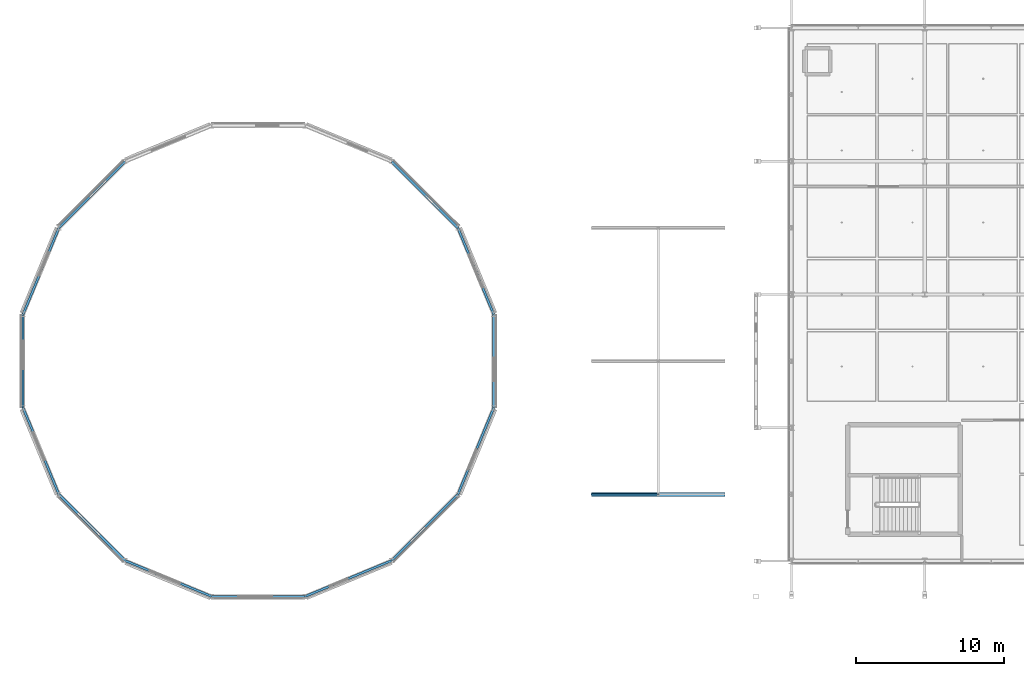
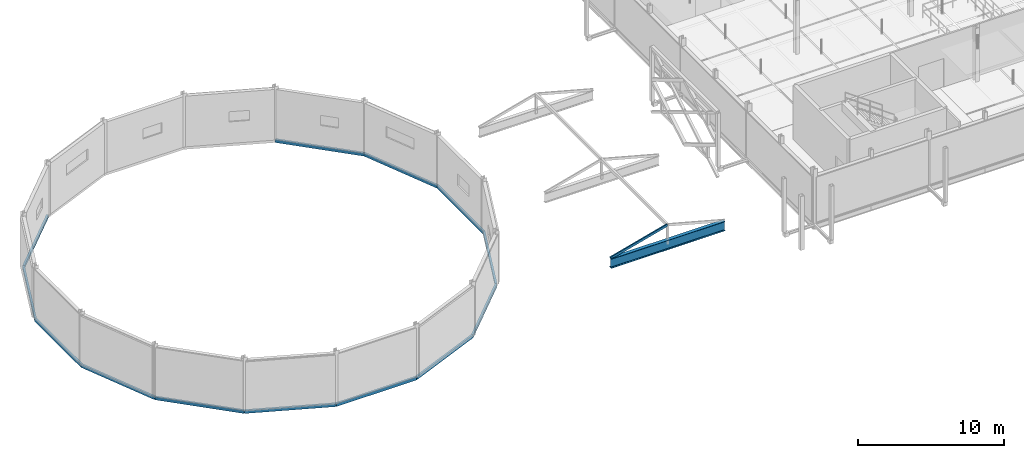
# One storey, part 16 of 89: 14 beams, 1 member.
"""IFC4 building model written with IfcOpenShell, lengths in metres."""

from ifc_helpers import new_model, si_unit, direction, frame, origin, origin_2d, place, context, subcontext, project, spatial, hollow_rectangle, i_section, extrude, material, material_profile, profile_set, type_object, element, save


model = new_model("IFC4")

# Units and contexts
model_context = context("Model", 3, precision=1e-05, world=origin(), true_north=direction((0.0, 1.0)))
body_context = subcontext(model_context, "Body", "Model", "MODEL_VIEW")
ifc_project = project(units=[si_unit("LENGTHUNIT", "METRE"), si_unit("AREAUNIT", "SQUARE_METRE"), si_unit("VOLUMEUNIT", "CUBIC_METRE"), si_unit("PLANEANGLEUNIT", "RADIAN"), si_unit("MASSUNIT", "GRAM", prefix="KILO"), si_unit("THERMODYNAMICTEMPERATUREUNIT", "KELVIN"), si_unit("POWERUNIT", "WATT")], contexts=[model_context])

# Site, building, storey
site_placement = place(None, origin())
site = spatial("IfcSite", under=ifc_project, at=site_placement, CompositionType="ELEMENT")
building_placement = place(site_placement, origin())
building = spatial("IfcBuilding", under=site, at=building_placement, Name="Tallowbark Science Centre", CompositionType="ELEMENT")
storey_placement = place(building_placement, frame((0.0, 0.0, 14.39990234375)))
storey = spatial("IfcBuildingStorey", under=building, at=storey_placement, Name="L03", CompositionType="ELEMENT", Elevation=14.39990234375)

# Beam
ifc_material_1 = material(Name="Structural Steel Grade 300PLUS (300 MPa)", Category="steel")
ifc_material_profile_1 = material_profile(ifc_material_1, i_section(OverallWidth=0.27490234375, OverallDepth=0.7919921875, WebThickness=0.011962890625, FlangeThickness=0.02001953125, FilletRadius=0.013916015625, at=origin_2d()), Name="800WB146")
ifc_profile_set_1 = profile_set([ifc_material_profile_1], Name="Structural Steel Grade 300PLUS (300 MPa)")
beam_type_1 = type_object("IfcBeamType", Name="BM-WB800", PredefinedType="BEAM", material=ifc_profile_set_1)
beam_1_placement = place(storey_placement, frame((45.0, 9.0, -1.449951171875), z_axis=(1.0, 0.0, 0.0), x_axis=(0.0, 1.0, 0.0)))
element("IfcBeam", 1, at=beam_1_placement, inside=storey, type_object=beam_type_1, Name="Passage Skylight Tie Beam 2H", PredefinedType="BEAM", context=body_context, shape_type="SweptSolid", body=[
    extrude(i_section(OverallWidth=0.27490234375, OverallDepth=0.7919921875, WebThickness=0.011962890625, FlangeThickness=0.02001953125, FilletRadius=0.013916015625, at=origin_2d()), origin(), (0.0, 0.0, 1.0), 9.0),
])

# Member
ifc_material_2 = material(Name="Structural Steel Grade C350L0 (350 MPa)", Category="steel")
ifc_material_profile_2 = material_profile(ifc_material_2, hollow_rectangle(XDim=0.10009765625, YDim=0.199951171875, WallThickness=0.006103515625, at=origin_2d()), Name="200x100x6.0RHS")
ifc_profile_set_2 = profile_set([ifc_material_profile_2], Name="Structural Steel Grade C350L0 (350 MPa)")
member_type = type_object("IfcMemberType", Name="RFT-200RHS", PredefinedType="RAFTER", material=ifc_profile_set_2)
member_placement = place(storey_placement, frame((45.0, 9.0, -1.0498046875), z_axis=(0.965923723713, 0.0, 0.258826891896), x_axis=(0.0, 1.0, 0.0)))
element("IfcMember", 2, at=member_placement, inside=storey, type_object=member_type, Name="Passage Skylight West Rafter 2H", PredefinedType="RAFTER", context=body_context, shape_type="SweptSolid", body=[
    extrude(hollow_rectangle(XDim=0.10009765625, YDim=0.199951171875, WallThickness=0.006103515625, at=origin_2d()), origin(), (0.0, 0.0, 1.0), 4.65869140625),
])

# Beams
ifc_material_3 = material(Name="White Architectural Painted Steel Grade C350L0 (350 MPa)", Category="steel")
ifc_material_profile_3 = material_profile(ifc_material_3, hollow_rectangle(XDim=0.14990234375, YDim=0.25, WallThickness=0.009033203125, at=origin_2d()), Name="250x150x9.0RHS")
ifc_profile_set_3 = profile_set([ifc_material_profile_3], Name="White Architectural Painted Steel Grade C350L0 (350 MPa)")
beam_type_2 = type_object("IfcBeamType", Name="SPN-RHS250", PredefinedType="SPANDREL", material=ifc_profile_set_3)
beam_2_placement = place(storey_placement, frame((38.388671875, 21.160400390625, -0.125), z_axis=(-0.382683814393, 0.92387937427, 0.0), x_axis=(-0.92387937427, -0.382683814393, 0.0)))
element("IfcBeam", 3, at=beam_2_placement, inside=storey, type_object=beam_type_2, Name="Planetarium Ring Beam L03-1", PredefinedType="SPANDREL", context=body_context, shape_type="SweptSolid", body=[
    extrude(hollow_rectangle(XDim=0.14990234375, YDim=0.25, WallThickness=0.009033203125, at=origin_2d()), origin(), (0.0, 0.0, 1.0), 6.321044921875),
])
for number, where, z_axis, x_axis, name in (
    (4, (35.9697265625, 27.000244140625, -0.125), (-0.707106781187, 0.707106781187, 0.0), (-0.707106781187, -0.707106781187, 0.0), "Planetarium Ring Beam L03-2"),
    (5, (13.499755859375, 31.4697265625, -0.125), (-0.707106781187, -0.707106781187, 0.0), (0.707106781187, -0.707106781187, 0.0), "Planetarium Ring Beam L03-6"),
):
    element("IfcBeam", number, at=place(storey_placement, frame(where, z_axis=z_axis, x_axis=x_axis)), inside=storey, type_object=beam_type_2, Name=name, PredefinedType="SPANDREL", context=body_context, shape_type="SweptSolid", body=[
        extrude(hollow_rectangle(XDim=0.14990234375, YDim=0.25, WallThickness=0.009033203125, at=origin_2d()), origin(), (0.0, 0.0, 1.0), 6.32080078125),
    ])
beam_3_placement = place(storey_placement, frame((9.0302734375, 27.000244140625, -0.125), z_axis=(-0.382683814393, -0.92387937427, 0.0), x_axis=(0.92387937427, -0.382683814393, 0.0)))
element("IfcBeam", 6, at=beam_3_placement, inside=storey, type_object=beam_type_2, Name="Planetarium Ring Beam L03-7", PredefinedType="SPANDREL", context=body_context, shape_type="SweptSolid", body=[
    extrude(hollow_rectangle(XDim=0.14990234375, YDim=0.25, WallThickness=0.009033203125, at=origin_2d()), origin(), (0.0, 0.0, 1.0), 6.321044921875),
])
beam_4_placement = place(storey_placement, frame((6.611328125, 21.160400390625, -0.125), z_axis=(0.0, -1.0, 0.0), x_axis=(1.0, 0.0, 0.0)))
element("IfcBeam", 7, at=beam_4_placement, inside=storey, type_object=beam_type_2, Name="Planetarium Ring Beam L03-8", PredefinedType="SPANDREL", context=body_context, shape_type="SweptSolid", body=[
    extrude(hollow_rectangle(XDim=0.14990234375, YDim=0.25, WallThickness=0.009033203125, at=origin_2d()), origin(), (0.0, 0.0, 1.0), 6.32080078125),
])
beam_5_placement = place(storey_placement, frame((6.611328125, 14.839599609375, -0.125), z_axis=(0.382683814393, -0.92387937427, 0.0), x_axis=(0.92387937427, 0.382683814393, 0.0)))
element("IfcBeam", 8, at=beam_5_placement, inside=storey, type_object=beam_type_2, Name="Planetarium Ring Beam L03-9", PredefinedType="SPANDREL", context=body_context, shape_type="SweptSolid", body=[
    extrude(hollow_rectangle(XDim=0.14990234375, YDim=0.25, WallThickness=0.009033203125, at=origin_2d()), origin(), (0.0, 0.0, 1.0), 6.321044921875),
])
beam_6_placement = place(storey_placement, frame((9.0302734375, 8.999755859375, -0.125), z_axis=(0.707106781187, -0.707106781187, 0.0), x_axis=(0.707106781187, 0.707106781187, 0.0)))
element("IfcBeam", 9, at=beam_6_placement, inside=storey, type_object=beam_type_2, Name="Planetarium Ring Beam L03-10", PredefinedType="SPANDREL", context=body_context, shape_type="SweptSolid", body=[
    extrude(hollow_rectangle(XDim=0.14990234375, YDim=0.25, WallThickness=0.009033203125, at=origin_2d()), origin(), (0.0, 0.0, 1.0), 6.32080078125),
])
beam_7_placement = place(storey_placement, frame((13.499755859375, 4.5302734375, -0.125), z_axis=(0.92387937427, -0.382683814393, 0.0), x_axis=(0.382683814393, 0.92387937427, 0.0)))
element("IfcBeam", 10, at=beam_7_placement, inside=storey, type_object=beam_type_2, Name="Planetarium Ring Beam L03-11", PredefinedType="SPANDREL", context=body_context, shape_type="SweptSolid", body=[
    extrude(hollow_rectangle(XDim=0.14990234375, YDim=0.25, WallThickness=0.009033203125, at=origin_2d()), origin(), (0.0, 0.0, 1.0), 6.321044921875),
])
beam_8_placement = place(storey_placement, frame((19.339599609375, 2.111328125, -0.125), z_axis=(1.0, 0.0, 0.0), x_axis=(0.0, 1.0, 0.0)))
element("IfcBeam", 11, at=beam_8_placement, inside=storey, type_object=beam_type_2, Name="Planetarium Ring Beam L03-12", PredefinedType="SPANDREL", context=body_context, shape_type="SweptSolid", body=[
    extrude(hollow_rectangle(XDim=0.14990234375, YDim=0.25, WallThickness=0.009033203125, at=origin_2d()), origin(), (0.0, 0.0, 1.0), 6.32080078125),
])
beam_9_placement = place(storey_placement, frame((25.660400390625, 2.111328125, -0.125), z_axis=(0.92387937427, 0.382683814393, 0.0), x_axis=(-0.382683814393, 0.92387937427, 0.0)))
element("IfcBeam", 12, at=beam_9_placement, inside=storey, type_object=beam_type_2, Name="Planetarium Ring Beam L03-13", PredefinedType="SPANDREL", context=body_context, shape_type="SweptSolid", body=[
    extrude(hollow_rectangle(XDim=0.14990234375, YDim=0.25, WallThickness=0.009033203125, at=origin_2d()), origin(), (0.0, 0.0, 1.0), 6.321044921875),
])
beam_10_placement = place(storey_placement, frame((31.500244140625, 4.5302734375, -0.125), z_axis=(0.707106781187, 0.707106781187, 0.0), x_axis=(-0.707106781187, 0.707106781187, 0.0)))
element("IfcBeam", 13, at=beam_10_placement, inside=storey, type_object=beam_type_2, Name="Planetarium Ring Beam L03-14", PredefinedType="SPANDREL", context=body_context, shape_type="SweptSolid", body=[
    extrude(hollow_rectangle(XDim=0.14990234375, YDim=0.25, WallThickness=0.009033203125, at=origin_2d()), origin(), (0.0, 0.0, 1.0), 6.32080078125),
])
beam_11_placement = place(storey_placement, frame((35.9697265625, 8.999755859375, -0.125), z_axis=(0.382683814393, 0.92387937427, 0.0), x_axis=(-0.92387937427, 0.382683814393, 0.0)))
element("IfcBeam", 14, at=beam_11_placement, inside=storey, type_object=beam_type_2, Name="Planetarium Ring Beam L03-15", PredefinedType="SPANDREL", context=body_context, shape_type="SweptSolid", body=[
    extrude(hollow_rectangle(XDim=0.14990234375, YDim=0.25, WallThickness=0.009033203125, at=origin_2d()), origin(), (0.0, 0.0, 1.0), 6.321044921875),
])
beam_12_placement = place(storey_placement, frame((38.388671875, 14.839599609375, -0.125), z_axis=(0.0, 1.0, 0.0), x_axis=(-1.0, 0.0, 0.0)))
element("IfcBeam", 15, at=beam_12_placement, inside=storey, type_object=beam_type_2, Name="Planetarium Ring Beam L03-16", PredefinedType="SPANDREL", context=body_context, shape_type="SweptSolid", body=[
    extrude(hollow_rectangle(XDim=0.14990234375, YDim=0.25, WallThickness=0.009033203125, at=origin_2d()), origin(), (0.0, 0.0, 1.0), 6.32080078125),
])

save(model, "model.ifc")
